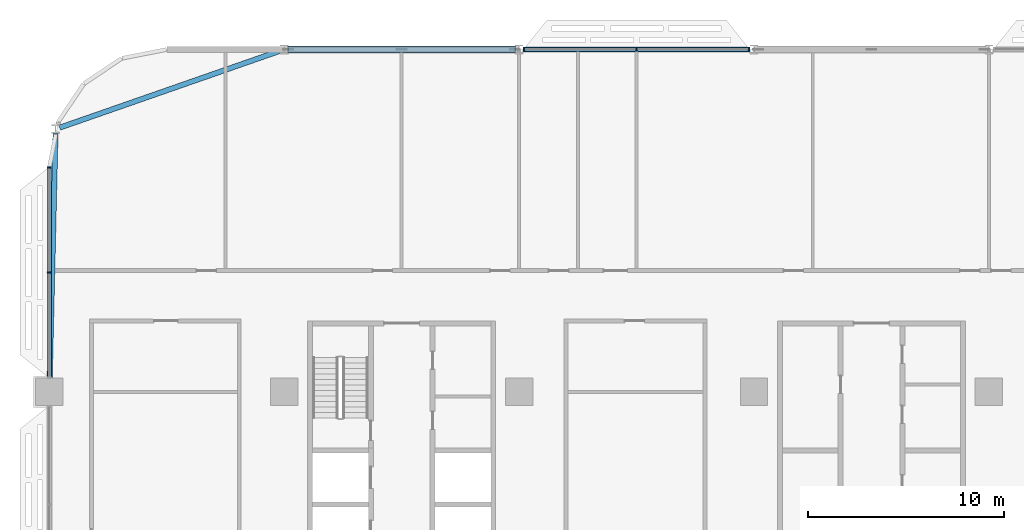
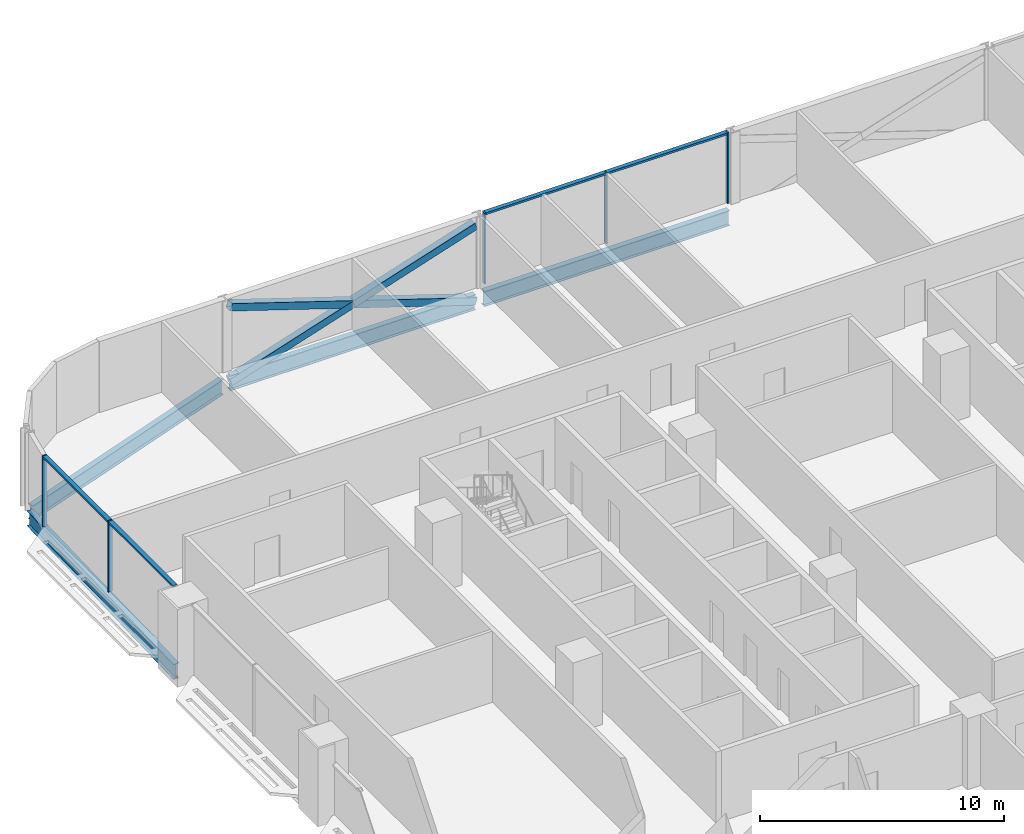
# One storey, part 6 of 29: 12 members, 4 beams, 2 elements without a shape of their own.
"""IFC4 building model written with IfcOpenShell, lengths in metres."""

from ifc_helpers import new_model, si_unit, direction, frame, origin, origin_2d, place, context, subcontext, project, spatial, rectangle, hollow_rectangle, i_section, extrude, material, material_profile, profile_set, type_object, element, aggregate, save


model = new_model("IFC4")

# Units and contexts
model_context = context("Model", 3, precision=1e-05, world=origin(), true_north=direction((0.0, 1.0)))
body_context = subcontext(model_context, "Body", "Model", "MODEL_VIEW")
ifc_project = project(units=[si_unit("LENGTHUNIT", "METRE"), si_unit("AREAUNIT", "SQUARE_METRE"), si_unit("VOLUMEUNIT", "CUBIC_METRE"), si_unit("PLANEANGLEUNIT", "RADIAN"), si_unit("MASSUNIT", "GRAM", prefix="KILO")], contexts=[model_context])

# Site, building, storey
site_placement = place(None, origin())
site = spatial("IfcSite", under=ifc_project, at=site_placement, CompositionType="ELEMENT")
building_placement = place(site_placement, origin())
building = spatial("IfcBuilding", under=site, at=building_placement, Name="Mahtab Terrace Research Tower", CompositionType="ELEMENT")
storey_placement = place(building_placement, frame((0.0, 0.0, 113.5)))
storey = spatial("IfcBuildingStorey", under=building, at=storey_placement, Name="L26", CompositionType="ELEMENT", Elevation=113.5)

# Members
ifc_material_1 = material(Name="Steel ASTM A500 Gr C", Category="steel")
ifc_material_profile_1 = material_profile(ifc_material_1, hollow_rectangle(XDim=0.355712890625, YDim=0.355712890625, WallThickness=0.01904296875, at=origin_2d()), Name="HSS14X14X3/4")
ifc_profile_set_1 = profile_set([ifc_material_profile_1], Name="Steel ASTM A500 Gr C")
member_type_1 = type_object("IfcMemberType", Name="HSS 14x14x3/4 brace XB141434", PredefinedType="BRACE", material=ifc_profile_set_1)
member_1_placement = place(storey_placement, frame((-18.20947265625, 29.0, -0.650634765625), z_axis=(-0.951267820326, 0.0, 0.308365909291), x_axis=(0.0, -1.0, 0.0)))
element("IfcMember", 1, at=member_1_placement, inside=storey, type_object=member_type_1, Name="Exoskeleton brace L26 07 a", PredefinedType="BRACE", context=body_context, shape_type="SweptSolid", body=[
    extrude(hollow_rectangle(XDim=0.355712890625, YDim=0.355712890625, WallThickness=0.01904296875, at=origin_2d()), origin(), (0.0, 0.0, 1.0), 12.17431640625),
])
for number, where, z_axis, x_axis, name in (
    (2, (-29.79052734375, 29.0, -0.650634765625), (0.951261937662, 0.0, 0.308384055936), (0.0, 1.0, 0.0), "Exoskeleton brace L26 07 b1"),
    (3, (-24.0, 29.0, 1.2265625), (0.951273702716, 0.0, 0.30834776231), (0.0, 1.0, 0.0), "Exoskeleton brace L26 07 b2"),
):
    element("IfcMember", number, at=place(storey_placement, frame(where, z_axis=z_axis, x_axis=x_axis)), inside=storey, type_object=member_type_1, Name=name, PredefinedType="BRACE", context=body_context, shape_type="SweptSolid", body=[
        extrude(hollow_rectangle(XDim=0.355712890625, YDim=0.355712890625, WallThickness=0.01904296875, at=origin_2d()), origin(), (0.0, 0.0, 1.0), 6.087158203125),
    ])

# Curtain wall, members
ifc_material_2 = material(Name="Laboratory ribbon curtain wall")
curtain_wall_type = type_object("IfcCurtainWallType", Name="Laboratory ribbon curtain wall", PredefinedType="NOTDEFINED", material=ifc_material_2)
curtain_wall_1_placement = place(storey_placement, origin())
curtain_wall_1 = element("IfcCurtainWall", 4, at=curtain_wall_1_placement, inside=storey, type_object=curtain_wall_type, Name="EN.L26.3.8", PredefinedType="NOTDEFINED")
ifc_material_3 = material(Name="Natural anodised aluminium", Category="aluminium")
ifc_material_profile_2 = material_profile(ifc_material_3, rectangle(XDim=0.199951171875, YDim=0.06494140625, at=origin_2d()), Name="MULLION 65x200")
ifc_profile_set_2 = profile_set([ifc_material_profile_2], Name="Natural anodised aluminium")
member_type_2 = type_object("IfcMemberType", Name="Laboratory ribbon curtain wall mullion", PredefinedType="MULLION", material=ifc_profile_set_2)
member_2_placement = place(storey_placement, frame((-6.260498046875, 29.0, 0.0), z_axis=(0.0, 0.0, 1.0), x_axis=(0.0, -1.0, 0.0)))
member_2 = element("IfcMember", 5, at=member_2_placement, type_object=member_type_2, Name="CWL-3 mullion 1", PredefinedType="MULLION", context=body_context, shape_type="SweptSolid", body=[
    extrude(rectangle(XDim=0.199951171875, YDim=0.06494140625, at=origin_2d()), origin(), (0.0, 0.0, 1.0), 3.550048828125),
])
member_3_placement = place(storey_placement, frame((-12.0, 29.0, 0.0), z_axis=(0.0, 0.0, 1.0), x_axis=(0.0, -1.0, 0.0)))
member_3 = element("IfcMember", 6, at=member_3_placement, type_object=member_type_2, Name="CWL-3 mullion 2", PredefinedType="MULLION", context=body_context, shape_type="SweptSolid", body=[
    extrude(rectangle(XDim=0.199951171875, YDim=0.06494140625, at=origin_2d()), origin(), (0.0, 0.0, 1.0), 3.550048828125),
])
member_4_placement = place(storey_placement, frame((-17.739501953125, 29.0, 0.0), z_axis=(0.0, 0.0, 1.0), x_axis=(0.0, -1.0, 0.0)))
member_4 = element("IfcMember", 7, at=member_4_placement, type_object=member_type_2, Name="CWL-3 mullion 3", PredefinedType="MULLION", context=body_context, shape_type="SweptSolid", body=[
    extrude(rectangle(XDim=0.199951171875, YDim=0.06494140625, at=origin_2d()), origin(), (0.0, 0.0, 1.0), 3.550048828125),
])

curtain_wall_2_placement = place(storey_placement, origin())
curtain_wall_2 = element("IfcCurtainWall", 8, at=curtain_wall_2_placement, inside=storey, type_object=curtain_wall_type, Name="EN.L26.8.16", PredefinedType="NOTDEFINED")
member_5_placement = place(storey_placement, frame((-42.0, 22.967529296875, 0.0), z_axis=(0.0, 0.0, 1.0), x_axis=(1.0, 0.0, 0.0)))
member_5 = element("IfcMember", 9, at=member_5_placement, type_object=member_type_2, Name="CWL-3 mullion 1", PredefinedType="MULLION", context=body_context, shape_type="SweptSolid", body=[
    extrude(rectangle(XDim=0.199951171875, YDim=0.06494140625, at=origin_2d()), origin(), (0.0, 0.0, 1.0), 3.550048828125),
])
member_6_placement = place(storey_placement, frame((-42.0, 17.60009765625, 0.0), z_axis=(0.0, 0.0, 1.0), x_axis=(1.0, 0.0, 0.0)))
member_6 = element("IfcMember", 10, at=member_6_placement, type_object=member_type_2, Name="CWL-3 mullion 2", PredefinedType="MULLION", context=body_context, shape_type="SweptSolid", body=[
    extrude(rectangle(XDim=0.199951171875, YDim=0.06494140625, at=origin_2d()), origin(), (0.0, 0.0, 1.0), 3.550048828125),
])

# Member
ifc_material_profile_3 = material_profile(ifc_material_3, rectangle(XDim=0.199951171875, YDim=0.10009765625, at=origin_2d()), Name="TRANSOM 100x200")
ifc_profile_set_3 = profile_set([ifc_material_profile_3], Name="Natural anodised aluminium")
member_type_3 = type_object("IfcMemberType", Name="Laboratory ribbon curtain wall transom", PredefinedType="USERDEFINED", material=ifc_profile_set_3)
member_7_placement = place(storey_placement, frame((-6.29296875, 29.0, 3.5), z_axis=(-1.0, 0.0, 0.0), x_axis=(0.0, -1.0, 0.0)))
member_7 = element("IfcMember", 11, at=member_7_placement, type_object=member_type_3, Name="CWL-3 transom 1", ObjectType="TRANSOM", PredefinedType="USERDEFINED", context=body_context, shape_type="SweptSolid", body=[
    extrude(rectangle(XDim=0.199951171875, YDim=0.10009765625, at=origin_2d()), origin(), (0.0, 0.0, 1.0), 5.674560546875),
])

member_8_placement = place(storey_placement, frame((-12.032470703125, 29.0, 3.5), z_axis=(-1.0, 0.0, 0.0), x_axis=(0.0, -1.0, 0.0)))
member_8 = element("IfcMember", 12, at=member_8_placement, type_object=member_type_3, Name="CWL-3 transom 2", ObjectType="TRANSOM", PredefinedType="USERDEFINED", context=body_context, shape_type="SweptSolid", body=[
    extrude(rectangle(XDim=0.199951171875, YDim=0.10009765625, at=origin_2d()), origin(), (0.0, 0.0, 1.0), 5.674560546875),
])

aggregate(curtain_wall_1, [member_2, member_3, member_4, member_7, member_8])

member_9_placement = place(storey_placement, frame((-42.0, 22.93505859375, 3.5), z_axis=(0.0, -1.0, 0.0), x_axis=(1.0, 0.0, 0.0)))
member_9 = element("IfcMember", 13, at=member_9_placement, type_object=member_type_3, Name="CWL-3 transom 1", ObjectType="TRANSOM", PredefinedType="USERDEFINED", context=body_context, shape_type="SweptSolid", body=[
    extrude(rectangle(XDim=0.199951171875, YDim=0.10009765625, at=origin_2d()), origin(), (0.0, 0.0, 1.0), 5.302490234375),
])

member_10_placement = place(storey_placement, frame((-42.0, 17.5673828125, 3.5), z_axis=(0.0, -1.0, 0.0), x_axis=(1.0, 0.0, 0.0)))
member_10 = element("IfcMember", 14, at=member_10_placement, type_object=member_type_3, Name="CWL-3 transom 2", ObjectType="TRANSOM", PredefinedType="USERDEFINED", context=body_context, shape_type="SweptSolid", body=[
    extrude(rectangle(XDim=0.199951171875, YDim=0.10009765625, at=origin_2d()), origin(), (0.0, 0.0, 1.0), 5.302490234375),
])

aggregate(curtain_wall_2, [member_5, member_6, member_9, member_10])

# Beams
ifc_material_4 = material(Name="Steel ASTM A992 Gr 50", Category="steel")
ifc_material_profile_4 = material_profile(ifc_material_4, i_section(OverallWidth=0.2666015625, OverallDepth=0.7568359375, WebThickness=0.013916015625, FlangeThickness=0.019287109375, at=origin_2d()), Name="W30X108")
ifc_profile_set_4 = profile_set([ifc_material_profile_4], Name="Steel ASTM A992 Gr 50")
beam_type = type_object("IfcBeamType", Name="W30x108 beam BS30108", PredefinedType="BEAM", material=ifc_profile_set_4)
for number, where, z_axis, x_axis, name in (
    (15, (-6.20947265625, 29.0, -0.718505859375), (-1.0, 0.0, 0.0), (0.0, -1.0, 0.0), "Spandrel beam L26 06"),
    (16, (-18.20947265625, 29.0, -0.718505859375), (-1.0, 0.0, 0.0), (0.0, -1.0, 0.0), "Spandrel beam L26 07"),
):
    element("IfcBeam", number, at=place(storey_placement, frame(where, z_axis=z_axis, x_axis=x_axis)), inside=storey, type_object=beam_type, Name=name, PredefinedType="BEAM", context=body_context, shape_type="SweptSolid", body=[
        extrude(i_section(OverallWidth=0.2666015625, OverallDepth=0.7568359375, WebThickness=0.013916015625, FlangeThickness=0.019287109375, at=origin_2d()), origin(), (0.0, 0.0, 1.0), 11.5810546875),
    ])
beam_1_placement = place(storey_placement, frame((-30.20947265625, 28.927001953125, -0.718505859375), z_axis=(-0.944250501583, -0.32922786981, 0.0), x_axis=(0.32922786981, -0.944250501583, 0.0)))
element("IfcBeam", 17, at=beam_1_placement, inside=storey, type_object=beam_type, Name="Spandrel beam L26 08", PredefinedType="BEAM", context=body_context, shape_type="SweptSolid", body=[
    extrude(i_section(OverallWidth=0.2666015625, OverallDepth=0.7568359375, WebThickness=0.013916015625, FlangeThickness=0.019287109375, at=origin_2d()), origin(), (0.0, 0.0, 1.0), 11.927978515625),
])
beam_2_placement = place(storey_placement, frame((-41.6875, 24.69970703125, -0.718505859375), z_axis=(-0.02366570739, -0.999719927927, 0.0), x_axis=(0.999719927927, -0.02366570739, 0.0)))
element("IfcBeam", 18, at=beam_2_placement, inside=storey, type_object=beam_type, Name="Spandrel beam L26 09", PredefinedType="BEAM", context=body_context, shape_type="SweptSolid", body=[
    extrude(i_section(OverallWidth=0.2666015625, OverallDepth=0.7568359375, WebThickness=0.013916015625, FlangeThickness=0.019287109375, at=origin_2d()), origin(), (0.0, 0.0, 1.0), 12.503173828125),
])

save(model, "model.ifc")
